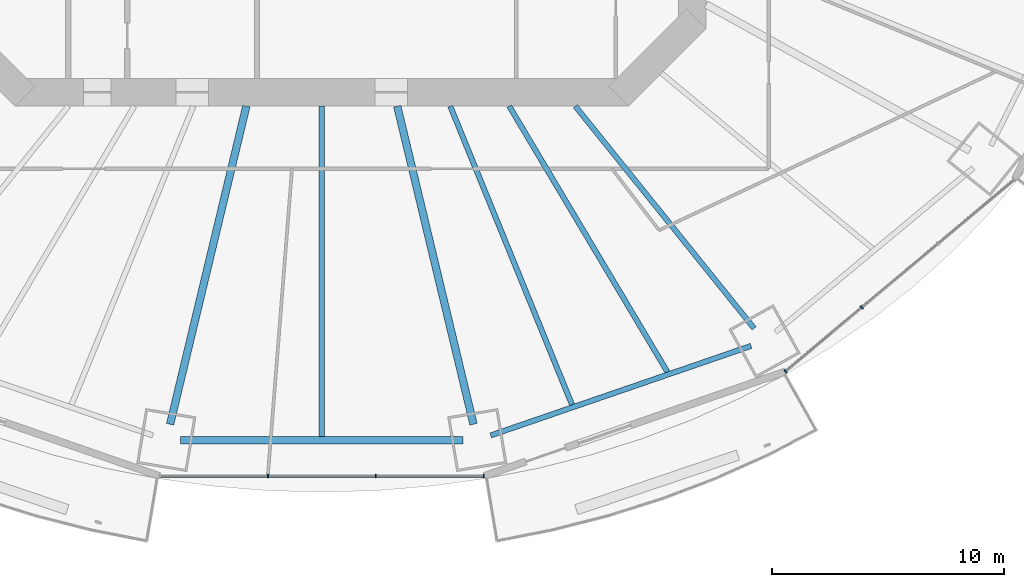
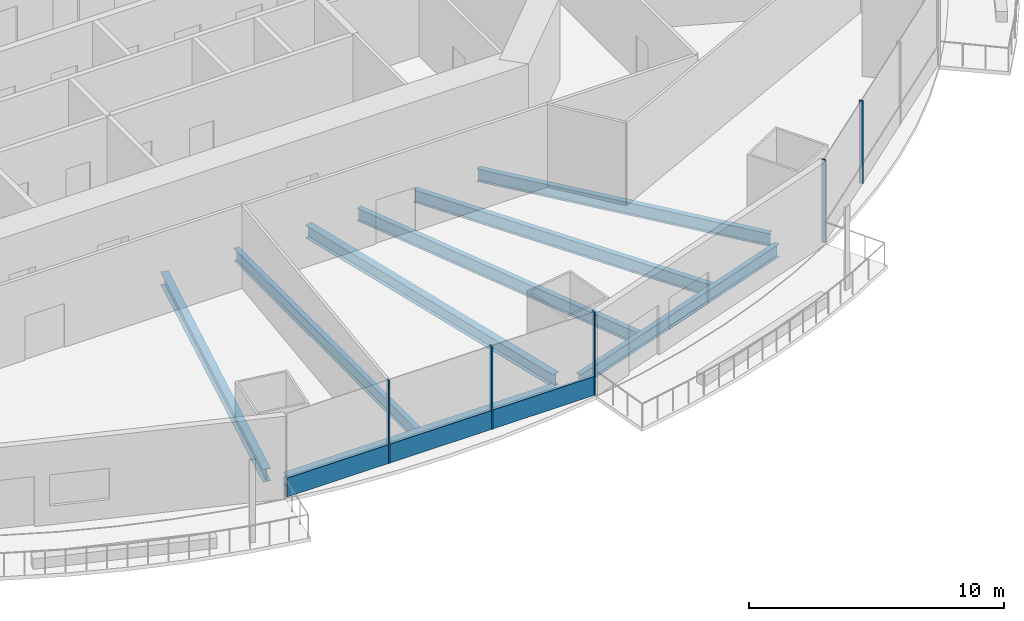
# One storey, part 4 of 23: 8 beams, 6 members, 2 elements without a shape of their own.
"""IFC4 building model written with IfcOpenShell, lengths in metres."""

from ifc_helpers import new_model, si_unit, direction, frame, origin, origin_2d, place, context, subcontext, project, spatial, rectangle, i_section, extrude, material, material_profile, profile_set, type_object, element, aggregate, save


model = new_model("IFC4")

# Units and contexts
model_context = context("Model", 3, precision=1e-05, world=origin(), true_north=direction((0.0, 1.0)))
body_context = subcontext(model_context, "Body", "Model", "MODEL_VIEW")
ifc_project = project(units=[si_unit("LENGTHUNIT", "METRE"), si_unit("AREAUNIT", "SQUARE_METRE"), si_unit("VOLUMEUNIT", "CUBIC_METRE"), si_unit("PLANEANGLEUNIT", "RADIAN"), si_unit("MASSUNIT", "GRAM", prefix="KILO")], contexts=[model_context])

# Site, building, storey
site_placement = place(None, origin())
site = spatial("IfcSite", under=ifc_project, at=site_placement, CompositionType="ELEMENT")
building_placement = place(site_placement, origin())
building = spatial("IfcBuilding", under=site, at=building_placement, Name="Marenthal Gate Tower", CompositionType="ELEMENT")
storey_placement = place(building_placement, frame((0.0, 0.0, 66.199951171875)))
storey = spatial("IfcBuildingStorey", under=building, at=storey_placement, Name="L12", CompositionType="ELEMENT", Elevation=66.199951171875)

# Curtain wall, members
ifc_material_1 = material(Name="Aluminium and glass", Category="aluminium")
curtain_wall_type = type_object("IfcCurtainWallType", Name="Curtain wall typical low", PredefinedType="NOTDEFINED", material=ifc_material_1)
curtain_wall_1_placement = place(storey_placement, origin())
curtain_wall_1 = element("IfcCurtainWall", 1, at=curtain_wall_1_placement, inside=storey, type_object=curtain_wall_type, Name="Curtain wall L12 bay 12", PredefinedType="NOTDEFINED")
ifc_material_2 = material(Name="Aluminium", Category="aluminium")
ifc_material_profile_1 = material_profile(ifc_material_2, rectangle(XDim=0.159912109375, YDim=0.06005859375, at=origin_2d()), Name="60x160 aluminium mullion")
ifc_profile_set_1 = profile_set([ifc_material_profile_1], Name="Aluminium")
member_type_1 = type_object("IfcMemberType", Name="Mullion 60x160 typical low", PredefinedType="MULLION", material=ifc_profile_set_1)
member_1_placement = place(storey_placement, frame((-2.330810546875, -29.569580078125, 0.0), z_axis=(0.0, 0.0, 1.0), x_axis=(0.0, 1.0, 0.0)))
member_1 = element("IfcMember", 2, at=member_1_placement, type_object=member_type_1, Name="Mullion L12 bay 12.2", PredefinedType="MULLION", context=body_context, shape_type="SweptSolid", body=[
    extrude(rectangle(XDim=0.159912109375, YDim=0.06005859375, at=origin_2d()), origin(), (0.0, 0.0, 1.0), 3.969970703125),
])
member_2_placement = place(storey_placement, frame((2.330810546875, -29.569580078125, 0.0), z_axis=(0.0, 0.0, 1.0), x_axis=(0.0, 1.0, 0.0)))
member_2 = element("IfcMember", 3, at=member_2_placement, type_object=member_type_1, Name="Mullion L12 bay 12.3", PredefinedType="MULLION", context=body_context, shape_type="SweptSolid", body=[
    extrude(rectangle(XDim=0.159912109375, YDim=0.06005859375, at=origin_2d()), origin(), (0.0, 0.0, 1.0), 3.969970703125),
])
member_3_placement = place(storey_placement, frame((6.9921875, -29.569580078125, 0.0), z_axis=(0.0, 0.0, 1.0), x_axis=(0.0, 1.0, 0.0)))
member_3 = element("IfcMember", 4, at=member_3_placement, type_object=member_type_1, Name="Mullion L12 bay 12.4", PredefinedType="MULLION", context=body_context, shape_type="SweptSolid", body=[
    extrude(rectangle(XDim=0.159912109375, YDim=0.06005859375, at=origin_2d()), origin(), (0.0, 0.0, 1.0), 3.969970703125),
])

curtain_wall_2_placement = place(storey_placement, origin())
curtain_wall_2 = element("IfcCurtainWall", 5, at=curtain_wall_2_placement, inside=storey, type_object=curtain_wall_type, Name="Curtain wall L12 bay 14", PredefinedType="NOTDEFINED")
member_4_placement = place(storey_placement, frame((20.020751953125, -25.048828125, 0.0), z_axis=(0.0, 0.0, 1.0), x_axis=(-0.642111737517, 0.766611059497, 0.0)))
member_4 = element("IfcMember", 6, at=member_4_placement, type_object=member_type_1, Name="Mullion L12 bay 14.1", PredefinedType="MULLION", context=body_context, shape_type="SweptSolid", body=[
    extrude(rectangle(XDim=0.159912109375, YDim=0.06005859375, at=origin_2d()), origin(), (0.0, 0.0, 1.0), 3.969970703125),
])
member_5_placement = place(storey_placement, frame((23.315673828125, -22.288818359375, 0.0), z_axis=(0.0, 0.0, 1.0), x_axis=(-0.642111737517, 0.766611059497, 0.0)))
member_5 = element("IfcMember", 7, at=member_5_placement, type_object=member_type_1, Name="Mullion L12 bay 14.2", PredefinedType="MULLION", context=body_context, shape_type="SweptSolid", body=[
    extrude(rectangle(XDim=0.159912109375, YDim=0.06005859375, at=origin_2d()), origin(), (0.0, 0.0, 1.0), 3.969970703125),
])
aggregate(curtain_wall_2, [member_4, member_5])

# Member
ifc_material_3 = material(Name="Aluminium", Category="aluminium")
ifc_material_profile_2 = material_profile(ifc_material_3, rectangle(XDim=0.1201171875, YDim=0.89990234375, at=origin_2d()), Name="120x900 aluminium transom")
ifc_profile_set_2 = profile_set([ifc_material_profile_2], Name="Aluminium")
member_type_2 = type_object("IfcMemberType", Name="Transom 120x900 typical low", PredefinedType="USERDEFINED", material=ifc_profile_set_2)
member_6_placement = place(storey_placement, frame((-6.96240234375, -29.569580078125, 0.449951171875), z_axis=(1.0, 0.0, 0.0), x_axis=(0.0, 1.0, 0.0)))
member_6 = element("IfcMember", 8, at=member_6_placement, type_object=member_type_2, Name="Transom L12 bay 12", ObjectType="TRANSOM", PredefinedType="USERDEFINED", context=body_context, shape_type="SweptSolid", body=[
    extrude(rectangle(XDim=0.1201171875, YDim=0.89990234375, at=origin_2d()), origin(), (0.0, 0.0, 1.0), 13.9248046875),
])

aggregate(curtain_wall_1, [member_1, member_2, member_3, member_6])

# Beams
ifc_material_4 = material(Name="Steel S355", Category="steel")
ifc_material_profile_3 = material_profile(ifc_material_4, i_section(OverallWidth=0.22900390625, OverallDepth=0.612060546875, WebThickness=0.011962890625, FlangeThickness=0.01953125, FilletRadius=0.0126953125, at=origin_2d()), Name="W610X125")
ifc_profile_set_3 = profile_set([ifc_material_profile_3], Name="Steel S355")
beam_type_1 = type_object("IfcBeamType", Name="W610X125 beam", PredefinedType="BEAM", material=ifc_profile_set_3)
beam_1_placement = place(storey_placement, frame((18.669921875, -23.195068359375, -0.48583984375), z_axis=(-0.62702730147, 0.778997280618, 0.0), x_axis=(-0.778997280618, -0.62702730147, 0.0)))
element("IfcBeam", 9, at=beam_1_placement, inside=storey, type_object=beam_type_1, Name="BM-L12-14", PredefinedType="BEAM", context=body_context, shape_type="SweptSolid", body=[
    extrude(i_section(OverallWidth=0.22900390625, OverallDepth=0.612060546875, WebThickness=0.011962890625, FlangeThickness=0.01953125, FilletRadius=0.0126953125, at=origin_2d()), origin(), (0.0, 0.0, 1.0), 12.317138671875),
])
beam_2_placement = place(storey_placement, frame((0.0, -27.857666015625, -0.48583984375), z_axis=(0.0, 1.0, 0.0), x_axis=(-1.0, 0.0, 0.0)))
element("IfcBeam", 10, at=beam_2_placement, inside=storey, type_object=beam_type_1, Name="BM-L12-34", PredefinedType="BEAM", context=body_context, shape_type="SweptSolid", body=[
    extrude(i_section(OverallWidth=0.22900390625, OverallDepth=0.612060546875, WebThickness=0.011962890625, FlangeThickness=0.01953125, FilletRadius=0.0126953125, at=origin_2d()), origin(), (0.0, 0.0, 1.0), 14.257568359375),
])
beam_3_placement = place(storey_placement, frame((10.805908203125, -26.491943359375, -0.48583984375), z_axis=(-0.377685635209, 0.925933885845, 0.0), x_axis=(-0.925933885845, -0.377685635209, 0.0)))
element("IfcBeam", 11, at=beam_3_placement, inside=storey, type_object=beam_type_1, Name="BM-L12-35", PredefinedType="BEAM", context=body_context, shape_type="SweptSolid", body=[
    extrude(i_section(OverallWidth=0.22900390625, OverallDepth=0.612060546875, WebThickness=0.011962890625, FlangeThickness=0.01953125, FilletRadius=0.0126953125, at=origin_2d()), origin(), (0.0, 0.0, 1.0), 13.923095703125),
])
beam_4_placement = place(storey_placement, frame((14.9248046875, -25.07568359375, -0.48583984375), z_axis=(-0.51146264721, 0.859305510578, 0.0), x_axis=(-0.859305510578, -0.51146264721, 0.0)))
element("IfcBeam", 12, at=beam_4_placement, inside=storey, type_object=beam_type_1, Name="BM-L12-36", PredefinedType="BEAM", context=body_context, shape_type="SweptSolid", body=[
    extrude(i_section(OverallWidth=0.22900390625, OverallDepth=0.612060546875, WebThickness=0.011962890625, FlangeThickness=0.01953125, FilletRadius=0.0126953125, at=origin_2d()), origin(), (0.0, 0.0, 1.0), 13.3544921875),
])
beam_5_placement = place(storey_placement, frame((7.296142578125, -27.81982421875, -0.48583984375), z_axis=(0.945656601656, 0.325167021304, 0.0), x_axis=(-0.325167021304, 0.945656601656, 0.0)))
element("IfcBeam", 13, at=beam_5_placement, inside=storey, type_object=beam_type_1, Name="BM-L12-53", PredefinedType="BEAM", context=body_context, shape_type="SweptSolid", body=[
    extrude(i_section(OverallWidth=0.22900390625, OverallDepth=0.612060546875, WebThickness=0.011962890625, FlangeThickness=0.01953125, FilletRadius=0.0126953125, at=origin_2d()), origin(), (0.0, 0.0, 1.0), 11.88623046875),
])
ifc_material_5 = material(Name="Steel S355", Category="steel")
ifc_material_profile_4 = material_profile(ifc_material_5, i_section(OverallWidth=0.324951171875, OverallDepth=0.612060546875, WebThickness=0.0126953125, FlangeThickness=0.01904296875, FilletRadius=0.0126953125, at=origin_2d()), Name="W610X155")
ifc_profile_set_4 = profile_set([ifc_material_profile_4], Name="Steel S355")
beam_type_2 = type_object("IfcBeamType", Name="W610X155 beam", PredefinedType="BEAM", material=ifc_profile_set_4)
for number, where, z_axis, x_axis, name in (
    (14, (-6.55029296875, -27.336181640625, -0.48583984375), (0.233027773501, 0.972470080145, 0.0), (-0.972470080145, 0.233027773501, 0.0), "BM-L12-12"),
    (15, (6.55029296875, -27.336181640625, -0.48583984375), (-0.233027773501, 0.972470080145, 0.0), (-0.972470080145, -0.233027773501, 0.0), "BM-L12-13"),
):
    element("IfcBeam", number, at=place(storey_placement, frame(where, z_axis=z_axis, x_axis=x_axis)), inside=storey, type_object=beam_type_2, Name=name, PredefinedType="BEAM", context=body_context, shape_type="SweptSolid", body=[
        extrude(i_section(OverallWidth=0.324951171875, OverallDepth=0.612060546875, WebThickness=0.0126953125, FlangeThickness=0.01904296875, FilletRadius=0.0126953125, at=origin_2d()), origin(), (0.0, 0.0, 1.0), 14.125),
    ])
beam_6_placement = place(storey_placement, frame((-6.09912109375, -28.02001953125, -0.48583984375), z_axis=(1.0, 0.0, 0.0), x_axis=(0.0, 1.0, 0.0)))
element("IfcBeam", 16, at=beam_6_placement, inside=storey, type_object=beam_type_2, Name="BM-L12-52", PredefinedType="BEAM", context=body_context, shape_type="SweptSolid", body=[
    extrude(i_section(OverallWidth=0.324951171875, OverallDepth=0.612060546875, WebThickness=0.0126953125, FlangeThickness=0.01904296875, FilletRadius=0.0126953125, at=origin_2d()), origin(), (0.0, 0.0, 1.0), 12.1982421875),
])

save(model, "model.ifc")
